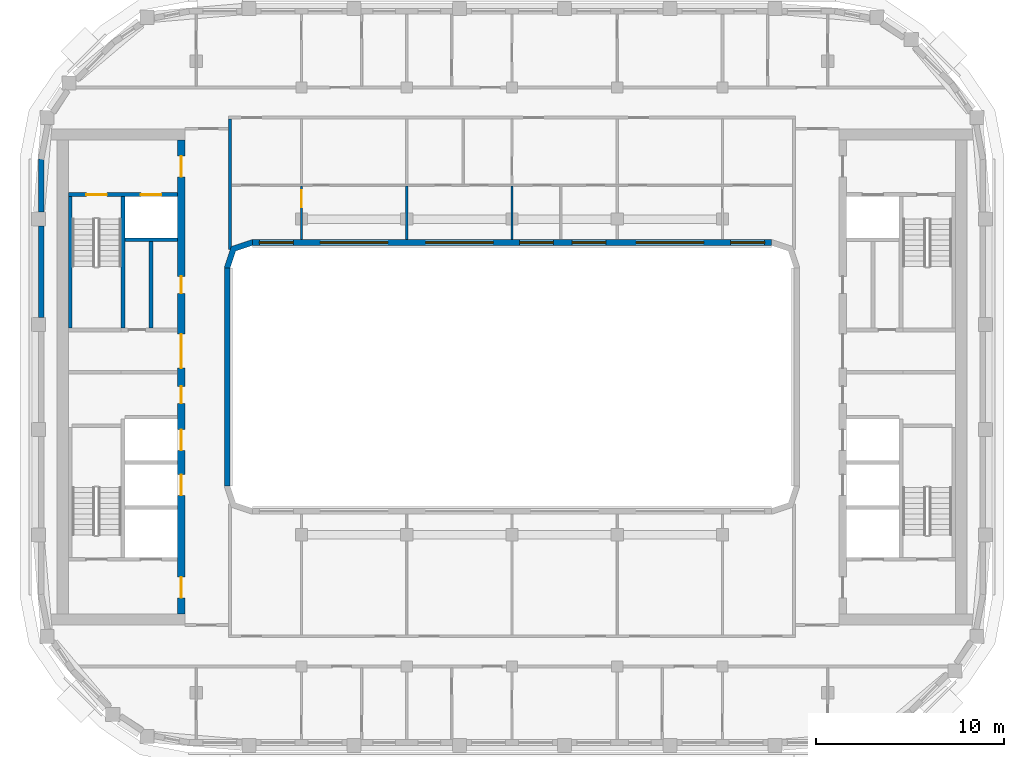
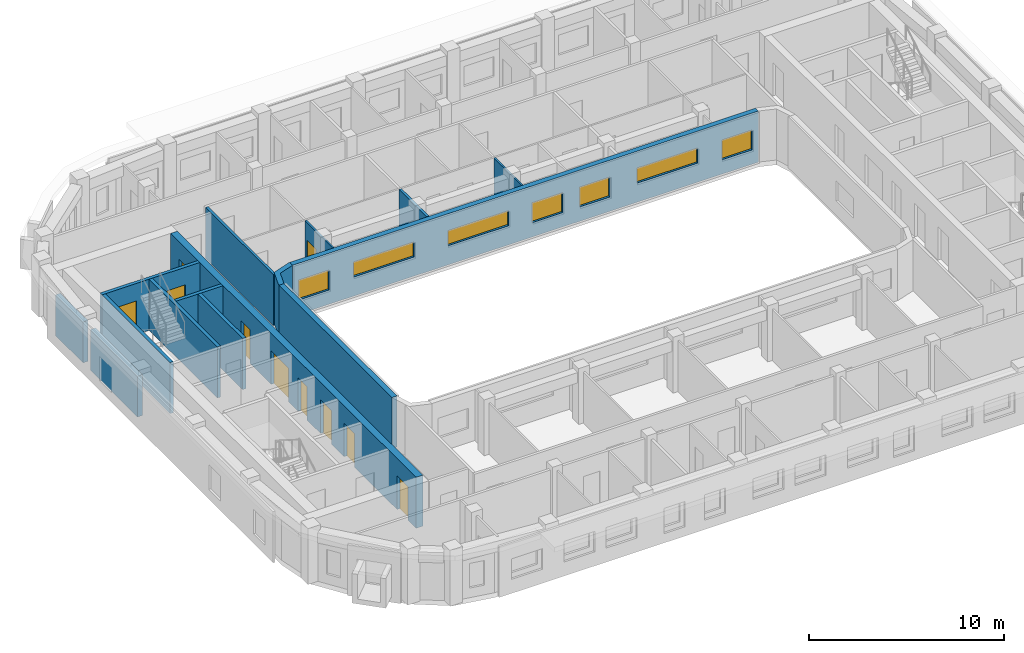
# One storey, part 4 of 16: 15 walls, 10 doors, 7 windows, 17 openings.
"""IFC4 building model written with IfcOpenShell, lengths in metres."""

from ifc_helpers import new_model, si_unit, direction, frame, frame_2d, origin, place, context, subcontext, project, spatial, polyline, rectangle, outline, extrude, material, layer, layer_set, type_object, element, fill, save


model = new_model("IFC4")

# Units and contexts
model_context = context("Model", 3, precision=1e-05, world=origin(), true_north=direction((0.0, 1.0)))
body_context = subcontext(model_context, "Body", "Model", "MODEL_VIEW")
ifc_project = project(units=[si_unit("LENGTHUNIT", "METRE"), si_unit("AREAUNIT", "SQUARE_METRE"), si_unit("VOLUMEUNIT", "CUBIC_METRE"), si_unit("PLANEANGLEUNIT", "RADIAN"), si_unit("MASSUNIT", "GRAM", prefix="KILO")], contexts=[model_context])

# Site, building, storey
site_placement = place(None, origin())
site = spatial("IfcSite", under=ifc_project, at=site_placement, CompositionType="ELEMENT")
building_placement = place(site_placement, origin())
building = spatial("IfcBuilding", under=site, at=building_placement, Name="Kiln Ring Residences", CompositionType="ELEMENT")
storey_placement = place(building_placement, frame((0.0, 0.0, 276.699951171875)))
storey = spatial("IfcBuildingStorey", under=building, at=storey_placement, Name="L72", CompositionType="ELEMENT", Elevation=276.699951171875)

# Walls
ifc_material_1 = material(Name="Gypsum board on steel studs", Category="steel")
ifc_layer_1 = layer(ifc_material_1, 0.199951171875)
ifc_layer_set_1 = layer_set([ifc_layer_1], Name="CORE-PARTITION-200")
wall_type_1 = type_object("IfcWallType", Name="CORE-PARTITION-200", PredefinedType="PARTITIONING", material=ifc_layer_set_1)
wall_1_placement = place(storey_placement, frame((-19.199951171875, 2.60009765625, 0.0), z_axis=(0.0, 0.0, 1.0), x_axis=(0.0, 1.0, 0.0)))
element("IfcWall", 1, at=wall_1_placement, inside=storey, type_object=wall_type_1, Name="Core partition west L72 2", PredefinedType="PARTITIONING", context=body_context, shape_type="SweptSolid", body=[
    extrude(rectangle(XDim=4.599853515625, YDim=0.199951171875, at=frame_2d((2.2998046875, 0.0))), origin(), (0.0, 0.0, 1.0), 3.199951171875),
])
ifc_material_2 = material(Name="Gypsum shaft wall system")
ifc_layer_2 = layer(ifc_material_2, 0.199951171875)
ifc_layer_set_2 = layer_set([ifc_layer_2], Name="CORE-SHAFT-WALL-200")
wall_type_2 = type_object("IfcWallType", Name="CORE-SHAFT-WALL-200", PredefinedType="PARTITIONING", material=ifc_layer_set_2)
wall_2_placement = place(storey_placement, frame((-17.800048828125, 7.300048828125, 0.0), z_axis=(0.0, 0.0, 1.0), x_axis=(-1.0, 0.0, 0.0)))
element("IfcWall", 2, at=wall_2_placement, inside=storey, type_object=wall_type_2, Name="Core partition west L72 8", PredefinedType="PARTITIONING", context=body_context, shape_type="SweptSolid", body=[
    extrude(rectangle(XDim=2.800048828125, YDim=0.199951171875, at=frame_2d((1.39990234375, 0.0))), origin(), (0.0, 0.0, 1.0), 3.199951171875),
])
ifc_material_3 = material(Name="Concrete C40/50", Category="concrete")
ifc_layer_3 = layer(ifc_material_3, 0.199951171875)
ifc_layer_set_3 = layer_set([ifc_layer_3], Name="CORE-WALL-RC200")
wall_type_3 = type_object("IfcWallType", Name="CORE-WALL-RC200", PredefinedType="SHEAR", material=ifc_layer_set_3)
wall_3_placement = place(storey_placement, frame((-20.699951171875, 2.60009765625, 0.0), z_axis=(0.0, 0.0, 1.0), x_axis=(0.0, 1.0, 0.0)))
element("IfcWall", 3, at=wall_3_placement, inside=storey, type_object=wall_type_3, Name="Core wall west L72 1", PredefinedType="SHEAR", context=body_context, shape_type="SweptSolid", body=[
    extrude(rectangle(XDim=7.0, YDim=0.199951171875, at=frame_2d((3.5, 0.0))), origin(), (0.0, 0.0, 1.0), 3.199951171875),
])

# Wall, openings, doors
wall_4_placement = place(storey_placement, frame((-17.800048828125, 9.699951171875, 0.0), z_axis=(0.0, 0.0, 1.0), x_axis=(-1.0, 0.0, 0.0)))
wall_4 = element("IfcWall", 4, at=wall_4_placement, inside=storey, type_object=wall_type_3, Name="Core wall west L72 9", PredefinedType="SHEAR", context=body_context, shape_type="SweptSolid", body=[
    extrude(rectangle(XDim=5.800048828125, YDim=0.199951171875, at=frame_2d((2.89990234375, 0.0))), origin(), (0.0, 0.0, 1.0), 3.199951171875),
])
opening_1_placement = place(wall_4_placement, frame((0.85009765625, 0.0, 0.0)))
opening_1 = element("IfcOpeningElement", 5, at=opening_1_placement, cuts=wall_4, Name="Opening L72-CW07", PredefinedType="OPENING", context=body_context, shape_type="SweptSolid", body=[
    extrude(rectangle(XDim=1.10009765625, YDim=2.10009765625, at=frame_2d((0.550048828125, 1.050048828125))), frame((0.0, 0.10986328125, 0.0), z_axis=(0.0, -1.0, 0.0), x_axis=(1.0, 0.0, 0.0)), (0.0, 0.0, 1.0), 0.219970703125),
])
opening_2_placement = place(wall_4_placement, frame((3.75, 0.0, 0.0)))
opening_2 = element("IfcOpeningElement", 6, at=opening_2_placement, cuts=wall_4, Name="Opening L72-CW10", PredefinedType="OPENING", context=body_context, shape_type="SweptSolid", body=[
    extrude(rectangle(XDim=1.10009765625, YDim=2.10009765625, at=frame_2d((0.550048828125, 1.050048828125))), frame((0.0, 0.10986328125, 0.0), z_axis=(0.0, -1.0, 0.0), x_axis=(1.0, 0.0, 0.0)), (0.0, 0.0, 1.0), 0.219970703125),
])
ifc_material_4 = material(Name="Steel door leaf", Category="steel")
door_type_1 = type_object("IfcDoorType", Name="CORE-DOOR-LD", OperationType="DOUBLE_DOOR_SLIDING", PredefinedType="DOOR", material=ifc_material_4)
door_1_placement = place(opening_1_placement, origin())
door_1 = element("IfcDoor", 7, at=door_1_placement, inside=storey, type_object=door_type_1, Name="LD W-FF L72-CW07", OperationType="DOUBLE_DOOR_SLIDING", OverallHeight=2.10009765625, OverallWidth=1.10009765625, PredefinedType="DOOR", context=body_context, shape_type="SweptSolid", body=[
    extrude(rectangle(XDim=1.10009765625, YDim=2.10009765625, at=frame_2d((0.550048828125, 1.050048828125))), frame((0.0, 0.02490234375, 0.0), z_axis=(0.0, -1.0, 0.0), x_axis=(1.0, 0.0, 0.0)), (0.0, 0.0, 1.0), 0.050048828125),
])
fill(opening_1, door_1)
ifc_material_5 = material(Name="Steel door leaf", Category="steel")
door_type_2 = type_object("IfcDoorType", Name="CORE-DOOR-STAIR", OperationType="SINGLE_SWING_LEFT", PredefinedType="DOOR", material=ifc_material_5)
door_2_placement = place(opening_2_placement, origin())
door_2 = element("IfcDoor", 8, at=door_2_placement, inside=storey, type_object=door_type_2, Name="Stair W-STN L72-CW10", OperationType="SINGLE_SWING_RIGHT", OverallHeight=2.10009765625, OverallWidth=1.10009765625, PredefinedType="DOOR", context=body_context, shape_type="SweptSolid", body=[
    extrude(rectangle(XDim=1.10009765625, YDim=2.10009765625, at=frame_2d((0.550048828125, 1.050048828125))), frame((0.0, 0.02490234375, 0.0), z_axis=(0.0, -1.0, 0.0), x_axis=(1.0, 0.0, 0.0)), (0.0, 0.0, 1.0), 0.050048828125),
])
fill(opening_2, door_2)

# Wall
wall_5_placement = place(storey_placement, frame((-23.5, 2.60009765625, 0.0), z_axis=(0.0, 0.0, 1.0), x_axis=(0.0, 1.0, 0.0)))
element("IfcWall", 9, at=wall_5_placement, inside=storey, type_object=wall_type_3, Name="Core wall west L72 10", PredefinedType="SHEAR", context=body_context, shape_type="SweptSolid", body=[
    extrude(rectangle(XDim=7.0, YDim=0.199951171875, at=frame_2d((3.5, 0.0))), origin(), (0.0, 0.0, 1.0), 3.199951171875),
])

# Wall, openings, doors
ifc_material_6 = material(Name="Concrete C60/75", Category="concrete")
ifc_layer_4 = layer(ifc_material_6, 0.39990234375)
ifc_layer_set_4 = layer_set([ifc_layer_4], Name="CORE-WALL-RC400")
wall_type_4 = type_object("IfcWallType", Name="CORE-WALL-RC400", PredefinedType="SHEAR", material=ifc_layer_set_4)
wall_6_placement = place(storey_placement, frame((-17.60009765625, -12.60009765625, 0.0), z_axis=(0.0, 0.0, 1.0), x_axis=(0.0, 1.0, 0.0)))
wall_6 = element("IfcWall", 10, at=wall_6_placement, inside=storey, type_object=wall_type_4, Name="Core wall west L72 6", PredefinedType="SHEAR", context=body_context, shape_type="SweptSolid", body=[
    extrude(rectangle(XDim=25.2001953125, YDim=0.39990234375, at=frame_2d((12.60009765625, 0.0))), origin(), (0.0, 0.0, 1.0), 3.199951171875),
])
opening_3_placement = place(wall_6_placement, frame((6.300048828125, 0.0, 0.0)))
opening_3 = element("IfcOpeningElement", 11, at=opening_3_placement, cuts=wall_6, Name="Opening L72-CW02", PredefinedType="OPENING", context=body_context, shape_type="SweptSolid", body=[
    extrude(rectangle(XDim=1.10009765625, YDim=2.10009765625, at=frame_2d((0.550048828125, 1.050048828125))), frame((0.0, 0.2099609375, 0.0), z_axis=(0.0, -1.0, 0.0), x_axis=(1.0, 0.0, 0.0)), (0.0, 0.0, 1.0), 0.419921875),
])
opening_4_placement = place(wall_6_placement, frame((8.699951171875, 0.0, 0.0)))
opening_4 = element("IfcOpeningElement", 12, at=opening_4_placement, cuts=wall_6, Name="Opening L72-CW03", PredefinedType="OPENING", context=body_context, shape_type="SweptSolid", body=[
    extrude(rectangle(XDim=1.10009765625, YDim=2.10009765625, at=frame_2d((0.550048828125, 1.050048828125))), frame((0.0, 0.2099609375, 0.0), z_axis=(0.0, -1.0, 0.0), x_axis=(1.0, 0.0, 0.0)), (0.0, 0.0, 1.0), 0.419921875),
])
opening_5_placement = place(wall_6_placement, frame((11.199951171875, 0.0, 0.0)))
opening_5 = element("IfcOpeningElement", 13, at=opening_5_placement, cuts=wall_6, Name="Opening L72-CW04", PredefinedType="OPENING", context=body_context, shape_type="SweptSolid", body=[
    extrude(rectangle(XDim=0.89990234375, YDim=2.10009765625, at=frame_2d((0.449951171875, 1.050048828125))), frame((0.0, 0.2099609375, 0.0), z_axis=(0.0, -1.0, 0.0), x_axis=(1.0, 0.0, 0.0)), (0.0, 0.0, 1.0), 0.419921875),
])
opening_6_placement = place(wall_6_placement, frame((17.050048828125, 0.0, 0.0)))
opening_6 = element("IfcOpeningElement", 14, at=opening_6_placement, cuts=wall_6, Name="Opening L72-CW05", PredefinedType="OPENING", context=body_context, shape_type="SweptSolid", body=[
    extrude(rectangle(XDim=0.89990234375, YDim=2.10009765625, at=frame_2d((0.449951171875, 1.050048828125))), frame((0.0, 0.2099609375, 0.0), z_axis=(0.0, -1.0, 0.0), x_axis=(1.0, 0.0, 0.0)), (0.0, 0.0, 1.0), 0.419921875),
])
opening_7_placement = place(wall_6_placement, frame((23.25, 0.0, 0.0)))
opening_7 = element("IfcOpeningElement", 15, at=opening_7_placement, cuts=wall_6, Name="Opening L72-CW08", PredefinedType="OPENING", context=body_context, shape_type="SweptSolid", body=[
    extrude(rectangle(XDim=1.10009765625, YDim=2.10009765625, at=frame_2d((0.550048828125, 1.050048828125))), frame((0.0, 0.2099609375, 0.0), z_axis=(0.0, -1.0, 0.0), x_axis=(1.0, 0.0, 0.0)), (0.0, 0.0, 1.0), 0.419921875),
])
opening_8_placement = place(wall_6_placement, frame((0.85009765625, 0.0, 0.0)))
opening_8 = element("IfcOpeningElement", 16, at=opening_8_placement, cuts=wall_6, Name="Opening L72-CW09", PredefinedType="OPENING", context=body_context, shape_type="SweptSolid", body=[
    extrude(rectangle(XDim=1.10009765625, YDim=2.10009765625, at=frame_2d((0.550048828125, 1.050048828125))), frame((0.0, 0.2099609375, 0.0), z_axis=(0.0, -1.0, 0.0), x_axis=(1.0, 0.0, 0.0)), (0.0, 0.0, 1.0), 0.419921875),
])
opening_9_placement = place(wall_6_placement, frame((13.074951171875, 0.0, 0.0)))
opening_9 = element("IfcOpeningElement", 17, at=opening_9_placement, cuts=wall_6, Name="Opening L72-CW12", PredefinedType="OPENING", context=body_context, shape_type="SweptSolid", body=[
    extrude(rectangle(XDim=1.800048828125, YDim=2.10009765625, at=frame_2d((0.89990234375, 1.050048828125))), frame((0.0, 0.2099609375, 0.0), z_axis=(0.0, -1.0, 0.0), x_axis=(1.0, 0.0, 0.0)), (0.0, 0.0, 1.0), 0.419921875),
])
door_3_placement = place(opening_3_placement, origin())
door_3 = element("IfcDoor", 18, at=door_3_placement, inside=storey, type_object=door_type_1, Name="LD W-H1 L72-CW02", OperationType="DOUBLE_DOOR_SLIDING", OverallHeight=2.10009765625, OverallWidth=1.10009765625, PredefinedType="DOOR", context=body_context, shape_type="SweptSolid", body=[
    extrude(rectangle(XDim=1.10009765625, YDim=2.10009765625, at=frame_2d((0.550048828125, 1.050048828125))), frame((0.0, 0.02490234375, 0.0), z_axis=(0.0, -1.0, 0.0), x_axis=(1.0, 0.0, 0.0)), (0.0, 0.0, 1.0), 0.050048828125),
])
fill(opening_3, door_3)
door_4_placement = place(opening_4_placement, origin())
door_4 = element("IfcDoor", 19, at=door_4_placement, inside=storey, type_object=door_type_1, Name="LD W-H2 L72-CW03", OperationType="DOUBLE_DOOR_SLIDING", OverallHeight=2.10009765625, OverallWidth=1.10009765625, PredefinedType="DOOR", context=body_context, shape_type="SweptSolid", body=[
    extrude(rectangle(XDim=1.10009765625, YDim=2.10009765625, at=frame_2d((0.550048828125, 1.050048828125))), frame((0.0, 0.02490234375, 0.0), z_axis=(0.0, -1.0, 0.0), x_axis=(1.0, 0.0, 0.0)), (0.0, 0.0, 1.0), 0.050048828125),
])
fill(opening_4, door_4)
ifc_material_7 = material(Name="Steel door leaf", Category="steel")
door_type_3 = type_object("IfcDoorType", Name="CORE-DOOR-LOBBY", OperationType="SINGLE_SWING_LEFT", PredefinedType="DOOR", material=ifc_material_7)
door_5_placement = place(opening_7_placement, origin())
door_5 = element("IfcDoor", 20, at=door_5_placement, inside=storey, type_object=door_type_3, Name="FFL L72-CW08", OperationType="SINGLE_SWING_LEFT", OverallHeight=2.10009765625, OverallWidth=1.10009765625, PredefinedType="DOOR", context=body_context, shape_type="SweptSolid", body=[
    extrude(rectangle(XDim=1.10009765625, YDim=2.10009765625, at=frame_2d((0.550048828125, 1.050048828125))), frame((0.0, 0.02490234375, 0.0), z_axis=(0.0, -1.0, 0.0), x_axis=(1.0, 0.0, 0.0)), (0.0, 0.0, 1.0), 0.050048828125),
])
fill(opening_7, door_5)
door_6_placement = place(opening_8_placement, origin())
door_6 = element("IfcDoor", 21, at=door_6_placement, inside=storey, type_object=door_type_3, Name="SVL L72-CW09", OperationType="SINGLE_SWING_RIGHT", OverallHeight=2.10009765625, OverallWidth=1.10009765625, PredefinedType="DOOR", context=body_context, shape_type="SweptSolid", body=[
    extrude(rectangle(XDim=1.10009765625, YDim=2.10009765625, at=frame_2d((0.550048828125, 1.050048828125))), frame((0.0, 0.02490234375, 0.0), z_axis=(0.0, -1.0, 0.0), x_axis=(1.0, 0.0, 0.0)), (0.0, 0.0, 1.0), 0.050048828125),
])
fill(opening_8, door_6)
ifc_material_8 = material(Name="Steel door leaf", Category="steel")
door_type_4 = type_object("IfcDoorType", Name="CORE-DOOR-PASS", OperationType="DOUBLE_DOOR_SINGLE_SWING", PredefinedType="DOOR", material=ifc_material_8)
door_7_placement = place(opening_9_placement, origin())
door_7 = element("IfcDoor", 22, at=door_7_placement, inside=storey, type_object=door_type_4, Name="Core passage L72-CW12", OperationType="DOUBLE_DOOR_SINGLE_SWING", OverallHeight=2.10009765625, OverallWidth=1.800048828125, PredefinedType="DOOR", context=body_context, shape_type="SweptSolid", body=[
    extrude(rectangle(XDim=1.800048828125, YDim=2.10009765625, at=frame_2d((0.89990234375, 1.050048828125))), frame((0.0, 0.02490234375, 0.0), z_axis=(0.0, -1.0, 0.0), x_axis=(1.0, 0.0, 0.0)), (0.0, 0.0, 1.0), 0.050048828125),
])
fill(opening_9, door_7)
ifc_material_9 = material(Name="Steel door leaf", Category="steel")
door_type_5 = type_object("IfcDoorType", Name="CORE-DOOR-ROOM", OperationType="SINGLE_SWING_LEFT", PredefinedType="DOOR", material=ifc_material_9)
door_8_placement = place(opening_5_placement, origin())
door_8 = element("IfcDoor", 23, at=door_8_placement, inside=storey, type_object=door_type_5, Name="Linen store L72-CW04", OperationType="SINGLE_SWING_RIGHT", OverallHeight=2.10009765625, OverallWidth=0.89990234375, PredefinedType="DOOR", context=body_context, shape_type="SweptSolid", body=[
    extrude(rectangle(XDim=0.89990234375, YDim=2.10009765625, at=frame_2d((0.449951171875, 1.050048828125))), frame((0.0, 0.02490234375, 0.0), z_axis=(0.0, -1.0, 0.0), x_axis=(1.0, 0.0, 0.0)), (0.0, 0.0, 1.0), 0.050048828125),
])
fill(opening_5, door_8)
door_9_placement = place(opening_6_placement, origin())
door_9 = element("IfcDoor", 24, at=door_9_placement, inside=storey, type_object=door_type_5, Name="Janitor's store L72-CW05", OperationType="SINGLE_SWING_LEFT", OverallHeight=2.10009765625, OverallWidth=0.89990234375, PredefinedType="DOOR", context=body_context, shape_type="SweptSolid", body=[
    extrude(rectangle(XDim=0.89990234375, YDim=2.10009765625, at=frame_2d((0.449951171875, 1.050048828125))), frame((0.0, 0.02490234375, 0.0), z_axis=(0.0, -1.0, 0.0), x_axis=(1.0, 0.0, 0.0)), (0.0, 0.0, 1.0), 0.050048828125),
])
fill(opening_6, door_9)

# Walls
ifc_material_10 = material(Name="Brick masonry, dark clay brick", Category="masonry")
ifc_layer_5 = layer(ifc_material_10, 0.300048828125)
ifc_layer_set_5 = layer_set([ifc_layer_5], Name="EW-300 BRICK WALL")
wall_type_5 = type_object("IfcWallType", Name="EW-300 BRICK WALL", PredefinedType="SOLIDWALL", material=ifc_layer_set_5)
wall_7_placement = place(storey_placement, frame((-25.050048828125, 11.60009765625, 0.0), z_axis=(0.0, 0.0, 1.0), x_axis=(0.0, -1.0, 0.0)))
element("IfcWall", 25, at=wall_7_placement, inside=storey, type_object=wall_type_5, Name="Facade wall L72 38", PredefinedType="SOLIDWALL", context=body_context, shape_type="SweptSolid", body=[
    extrude(rectangle(XDim=2.8251953125, YDim=0.300048828125, at=frame_2d((1.41259765625, 0.0))), origin(), (0.0, 0.0, 1.0), 2.550048828125),
])
wall_8_placement = place(storey_placement, frame((-25.050048828125, 8.02490234375, 0.0), z_axis=(0.0, 0.0, 1.0), x_axis=(0.0, -1.0, 0.0)))
element("IfcWall", 26, at=wall_8_placement, inside=storey, type_object=wall_type_5, Name="Facade wall L72 39", PredefinedType="SOLIDWALL", context=body_context, shape_type="SweptSolid", body=[
    extrude(rectangle(XDim=4.849853515625, YDim=0.300048828125, at=frame_2d((2.4248046875, 0.0))), origin(), (0.0, 0.0, 1.0), 2.550048828125),
])
wall_9_placement = place(storey_placement, frame((-15.14990234375, -5.800048828125, 0.0), z_axis=(0.0, 0.0, 1.0), x_axis=(0.0, 1.0, 0.0)))
element("IfcWall", 27, at=wall_9_placement, inside=storey, type_object=wall_type_5, Name="Facade wall L72 45", PredefinedType="SOLIDWALL", context=body_context, shape_type="SweptSolid", body=[
    extrude(rectangle(XDim=11.60009765625, YDim=0.300048828125, at=frame_2d((5.800048828125, 0.0))), origin(), (0.0, 0.0, 1.0), 3.199951171875),
])

# Wall, openings, windows
wall_10_placement = place(storey_placement, frame((-13.800048828125, 7.14990234375, 0.0), z_axis=(0.0, 0.0, 1.0), x_axis=(1.0, 0.0, 0.0)))
wall_10 = element("IfcWall", 28, at=wall_10_placement, inside=storey, type_object=wall_type_5, Name="Facade wall L72 46", PredefinedType="SOLIDWALL", context=body_context, shape_type="SweptSolid", body=[
    extrude(rectangle(XDim=27.60009765625, YDim=0.300048828125, at=frame_2d((13.800048828125, 0.0))), origin(), (0.0, 0.0, 1.0), 3.199951171875),
])
opening_10_placement = place(wall_10_placement, frame((0.362548828125, 0.0, 0.89990234375)))
opening_10 = element("IfcOpeningElement", 29, at=opening_10_placement, cuts=wall_10, Name="Opening W2", PredefinedType="OPENING", context=body_context, shape_type="SweptSolid", body=[
    extrude(rectangle(XDim=1.800048828125, YDim=1.25, at=frame_2d((0.89990234375, 0.625))), frame((0.0, 0.159912109375, 0.0), z_axis=(0.0, -1.0, 0.0), x_axis=(1.0, 0.0, 0.0)), (0.0, 0.0, 1.0), 0.320068359375),
])
opening_11_placement = place(wall_10_placement, frame((3.60009765625, 0.0, 1.199951171875)))
opening_11 = element("IfcOpeningElement", 30, at=opening_11_placement, cuts=wall_10, Name="Opening W4", PredefinedType="OPENING", context=body_context, shape_type="SweptSolid", body=[
    extrude(rectangle(XDim=3.60009765625, YDim=0.949951171875, at=frame_2d((1.800048828125, 0.47509765625))), frame((0.0, 0.159912109375, 0.0), z_axis=(0.0, -1.0, 0.0), x_axis=(1.0, 0.0, 0.0)), (0.0, 0.0, 1.0), 0.320068359375),
])
opening_12_placement = place(wall_10_placement, frame((9.199951171875, 0.0, 1.199951171875)))
opening_12 = element("IfcOpeningElement", 31, at=opening_12_placement, cuts=wall_10, Name="Opening W4", PredefinedType="OPENING", context=body_context, shape_type="SweptSolid", body=[
    extrude(rectangle(XDim=3.60009765625, YDim=0.949951171875, at=frame_2d((1.800048828125, 0.47509765625))), frame((0.0, 0.159912109375, 0.0), z_axis=(0.0, -1.0, 0.0), x_axis=(1.0, 0.0, 0.0)), (0.0, 0.0, 1.0), 0.320068359375),
])
opening_13_placement = place(wall_10_placement, frame((14.199951171875, 0.0, 0.89990234375)))
opening_13 = element("IfcOpeningElement", 32, at=opening_13_placement, cuts=wall_10, Name="Opening W2", PredefinedType="OPENING", context=body_context, shape_type="SweptSolid", body=[
    extrude(rectangle(XDim=1.800048828125, YDim=1.25, at=frame_2d((0.89990234375, 0.625))), frame((0.0, 0.159912109375, 0.0), z_axis=(0.0, -1.0, 0.0), x_axis=(1.0, 0.0, 0.0)), (0.0, 0.0, 1.0), 0.320068359375),
])
opening_14_placement = place(wall_10_placement, frame((17.0, 0.0, 0.89990234375)))
opening_14 = element("IfcOpeningElement", 33, at=opening_14_placement, cuts=wall_10, Name="Opening W2", PredefinedType="OPENING", context=body_context, shape_type="SweptSolid", body=[
    extrude(rectangle(XDim=1.800048828125, YDim=1.25, at=frame_2d((0.89990234375, 0.625))), frame((0.0, 0.159912109375, 0.0), z_axis=(0.0, -1.0, 0.0), x_axis=(1.0, 0.0, 0.0)), (0.0, 0.0, 1.0), 0.320068359375),
])
opening_15_placement = place(wall_10_placement, frame((20.39990234375, 0.0, 1.199951171875)))
opening_15 = element("IfcOpeningElement", 34, at=opening_15_placement, cuts=wall_10, Name="Opening W4", PredefinedType="OPENING", context=body_context, shape_type="SweptSolid", body=[
    extrude(rectangle(XDim=3.60009765625, YDim=0.949951171875, at=frame_2d((1.800048828125, 0.47509765625))), frame((0.0, 0.159912109375, 0.0), z_axis=(0.0, -1.0, 0.0), x_axis=(1.0, 0.0, 0.0)), (0.0, 0.0, 1.0), 0.320068359375),
])
opening_16_placement = place(wall_10_placement, frame((25.4375, 0.0, 0.89990234375)))
opening_16 = element("IfcOpeningElement", 35, at=opening_16_placement, cuts=wall_10, Name="Opening W2", PredefinedType="OPENING", context=body_context, shape_type="SweptSolid", body=[
    extrude(rectangle(XDim=1.800048828125, YDim=1.25, at=frame_2d((0.89990234375, 0.625))), frame((0.0, 0.159912109375, 0.0), z_axis=(0.0, -1.0, 0.0), x_axis=(1.0, 0.0, 0.0)), (0.0, 0.0, 1.0), 0.320068359375),
])
ifc_material_11 = material(Name="Aluminium frame with double glazing", Category="aluminium")
window_type_1 = type_object("IfcWindowType", Name="WINDOW 1800 x 1250", PartitioningType="SINGLE_PANEL", PredefinedType="WINDOW", material=ifc_material_11)
window_1_placement = place(opening_10_placement, origin())
window_1 = element("IfcWindow", 36, at=window_1_placement, inside=storey, type_object=window_type_1, Name="Window L72 37", OverallHeight=1.25, OverallWidth=1.800048828125, PartitioningType="SINGLE_PANEL", PredefinedType="WINDOW", context=body_context, shape_type="SweptSolid", body=[
    extrude(rectangle(XDim=1.800048828125, YDim=1.25, at=frame_2d((0.89990234375, 0.625))), frame((0.0, 0.030029296875, 0.0), z_axis=(0.0, -1.0, 0.0), x_axis=(1.0, 0.0, 0.0)), (0.0, 0.0, 1.0), 0.06005859375),
])
fill(opening_10, window_1)
window_2_placement = place(opening_13_placement, origin())
window_2 = element("IfcWindow", 37, at=window_2_placement, inside=storey, type_object=window_type_1, Name="Window L72 40", OverallHeight=1.25, OverallWidth=1.800048828125, PartitioningType="SINGLE_PANEL", PredefinedType="WINDOW", context=body_context, shape_type="SweptSolid", body=[
    extrude(rectangle(XDim=1.800048828125, YDim=1.25, at=frame_2d((0.89990234375, 0.625))), frame((0.0, 0.030029296875, 0.0), z_axis=(0.0, -1.0, 0.0), x_axis=(1.0, 0.0, 0.0)), (0.0, 0.0, 1.0), 0.06005859375),
])
fill(opening_13, window_2)
window_3_placement = place(opening_14_placement, origin())
window_3 = element("IfcWindow", 38, at=window_3_placement, inside=storey, type_object=window_type_1, Name="Window L72 41", OverallHeight=1.25, OverallWidth=1.800048828125, PartitioningType="SINGLE_PANEL", PredefinedType="WINDOW", context=body_context, shape_type="SweptSolid", body=[
    extrude(rectangle(XDim=1.800048828125, YDim=1.25, at=frame_2d((0.89990234375, 0.625))), frame((0.0, 0.030029296875, 0.0), z_axis=(0.0, -1.0, 0.0), x_axis=(1.0, 0.0, 0.0)), (0.0, 0.0, 1.0), 0.06005859375),
])
fill(opening_14, window_3)
window_4_placement = place(opening_16_placement, origin())
window_4 = element("IfcWindow", 39, at=window_4_placement, inside=storey, type_object=window_type_1, Name="Window L72 43", OverallHeight=1.25, OverallWidth=1.800048828125, PartitioningType="SINGLE_PANEL", PredefinedType="WINDOW", context=body_context, shape_type="SweptSolid", body=[
    extrude(rectangle(XDim=1.800048828125, YDim=1.25, at=frame_2d((0.89990234375, 0.625))), frame((0.0, 0.030029296875, 0.0), z_axis=(0.0, -1.0, 0.0), x_axis=(1.0, 0.0, 0.0)), (0.0, 0.0, 1.0), 0.06005859375),
])
fill(opening_16, window_4)
ifc_material_12 = material(Name="Aluminium frame with double glazing", Category="aluminium")
window_type_2 = type_object("IfcWindowType", Name="WINDOW 3600 x 950", PartitioningType="SINGLE_PANEL", PredefinedType="WINDOW", material=ifc_material_12)
window_5_placement = place(opening_11_placement, origin())
window_5 = element("IfcWindow", 40, at=window_5_placement, inside=storey, type_object=window_type_2, Name="Window L72 38", OverallHeight=0.949951171875, OverallWidth=3.60009765625, PartitioningType="SINGLE_PANEL", PredefinedType="WINDOW", context=body_context, shape_type="SweptSolid", body=[
    extrude(rectangle(XDim=3.60009765625, YDim=0.949951171875, at=frame_2d((1.800048828125, 0.47509765625))), frame((0.0, 0.030029296875, 0.0), z_axis=(0.0, -1.0, 0.0), x_axis=(1.0, 0.0, 0.0)), (0.0, 0.0, 1.0), 0.06005859375),
])
fill(opening_11, window_5)
window_6_placement = place(opening_12_placement, origin())
window_6 = element("IfcWindow", 41, at=window_6_placement, inside=storey, type_object=window_type_2, Name="Window L72 39", OverallHeight=0.949951171875, OverallWidth=3.60009765625, PartitioningType="SINGLE_PANEL", PredefinedType="WINDOW", context=body_context, shape_type="SweptSolid", body=[
    extrude(rectangle(XDim=3.60009765625, YDim=0.949951171875, at=frame_2d((1.800048828125, 0.47509765625))), frame((0.0, 0.030029296875, 0.0), z_axis=(0.0, -1.0, 0.0), x_axis=(1.0, 0.0, 0.0)), (0.0, 0.0, 1.0), 0.06005859375),
])
fill(opening_12, window_6)
window_7_placement = place(opening_15_placement, origin())
window_7 = element("IfcWindow", 42, at=window_7_placement, inside=storey, type_object=window_type_2, Name="Window L72 42", OverallHeight=0.949951171875, OverallWidth=3.60009765625, PartitioningType="SINGLE_PANEL", PredefinedType="WINDOW", context=body_context, shape_type="SweptSolid", body=[
    extrude(rectangle(XDim=3.60009765625, YDim=0.949951171875, at=frame_2d((1.800048828125, 0.47509765625))), frame((0.0, 0.030029296875, 0.0), z_axis=(0.0, -1.0, 0.0), x_axis=(1.0, 0.0, 0.0)), (0.0, 0.0, 1.0), 0.06005859375),
])
fill(opening_15, window_7)

# Wall
wall_11_placement = place(storey_placement, origin())
element("IfcWall", 43, at=wall_11_placement, inside=storey, type_object=wall_type_5, Name="Corner wall L72 1", PredefinedType="SOLIDWALL", context=body_context, shape_type="SweptSolid", body=[
    extrude(outline(polyline([(-13.8486328125, 7.300048828125), (-14.937255859375, 6.937255859375), (-15.300048828125, 5.8486328125), (-15.300048828125, 5.800048828125), (-15.0, 5.800048828125), (-14.699951171875, 6.699951171875), (-13.800048828125, 7.0), (-13.800048828125, 7.300048828125), (-13.8486328125, 7.300048828125)])), origin(), (0.0, 0.0, 1.0), 3.199951171875),
])

# Wall, opening, door
ifc_material_13 = material(Name="Gypsum board on steel studs", Category="steel")
ifc_layer_6 = layer(ifc_material_13, 0.10009765625)
ifc_layer_set_6 = layer_set([ifc_layer_6], Name="PARTITION-100")
wall_type_6 = type_object("IfcWallType", Name="PARTITION-100", PredefinedType="PARTITIONING", material=ifc_layer_set_6)
wall_12_placement = place(storey_placement, frame((-11.199951171875, 7.320068359375, 0.0), z_axis=(0.0, 0.0, 1.0), x_axis=(0.0, 1.0, 0.0)))
wall_12 = element("IfcWall", 44, at=wall_12_placement, inside=storey, type_object=wall_type_6, Name="Partition 015", PredefinedType="PARTITIONING", context=body_context, shape_type="SweptSolid", body=[
    extrude(rectangle(XDim=2.829833984375, YDim=0.10009765625, at=frame_2d((1.4150390625, 0.0))), origin(), (0.0, 0.0, 1.0), 3.199951171875),
])
opening_17_placement = place(wall_12_placement, frame((1.699951171875, 0.0, 0.0)))
opening_17 = element("IfcOpeningElement", 45, at=opening_17_placement, cuts=wall_12, Name="Opening L72-D008", PredefinedType="OPENING", context=body_context, shape_type="SweptSolid", body=[
    extrude(rectangle(XDim=0.89990234375, YDim=2.10009765625, at=frame_2d((0.449951171875, 1.050048828125))), frame((0.0, 0.06005859375, 0.0), z_axis=(0.0, -1.0, 0.0), x_axis=(1.0, 0.0, 0.0)), (0.0, 0.0, 1.0), 0.1201171875),
])
ifc_material_14 = material(Name="Timber door leaf", Category="wood")
door_type_6 = type_object("IfcDoorType", Name="FLAT-DOOR-900-PL", OperationType="SINGLE_SWING_LEFT", PredefinedType="DOOR", material=ifc_material_14)
door_10_placement = place(opening_17_placement, origin())
door_10 = element("IfcDoor", 46, at=door_10_placement, inside=storey, type_object=door_type_6, Name="Door L72-D008", OperationType="SINGLE_SWING_RIGHT", OverallHeight=2.10009765625, OverallWidth=0.89990234375, PredefinedType="DOOR", context=body_context, shape_type="SweptSolid", body=[
    extrude(rectangle(XDim=0.89990234375, YDim=2.10009765625, at=frame_2d((0.449951171875, 1.050048828125))), frame((0.0, 0.02490234375, 0.0), z_axis=(0.0, -1.0, 0.0), x_axis=(1.0, 0.0, 0.0)), (0.0, 0.0, 1.0), 0.050048828125),
])
fill(opening_17, door_10)

# Walls
wall_13_placement = place(storey_placement, frame((0.0, 7.320068359375, 0.0), z_axis=(0.0, 0.0, 1.0), x_axis=(0.0, 1.0, 0.0)))
element("IfcWall", 47, at=wall_13_placement, inside=storey, type_object=wall_type_6, Name="Partition 030", PredefinedType="PARTITIONING", context=body_context, shape_type="SweptSolid", body=[
    extrude(rectangle(XDim=2.829833984375, YDim=0.10009765625, at=frame_2d((1.4150390625, 0.0))), origin(), (0.0, 0.0, 1.0), 3.199951171875),
])
ifc_material_15 = material(Name="Brick masonry partition", Category="masonry")
ifc_layer_7 = layer(ifc_material_15, 0.14990234375)
ifc_layer_set_7 = layer_set([ifc_layer_7], Name="PARTITION-150-ei60")
wall_type_7 = type_object("IfcWallType", Name="PARTITION-150-ei60", PredefinedType="PARTITIONING", material=ifc_layer_set_7)
wall_14_placement = place(storey_placement, frame((-15.0, 6.768798828125, 0.0), z_axis=(0.0, 0.0, 1.0), x_axis=(0.0, 1.0, 0.0)))
element("IfcWall", 48, at=wall_14_placement, inside=storey, type_object=wall_type_7, Name="Partition 012", PredefinedType="PARTITIONING", context=body_context, shape_type="SweptSolid", body=[
    extrude(rectangle(XDim=6.956298828125, YDim=0.14990234375, at=frame_2d((3.47802734375, 0.0))), origin(), (0.0, 0.0, 1.0), 3.199951171875),
])
wall_15_placement = place(storey_placement, frame((-5.60009765625, 7.320068359375, 0.0), z_axis=(0.0, 0.0, 1.0), x_axis=(0.0, 1.0, 0.0)))
element("IfcWall", 49, at=wall_15_placement, inside=storey, type_object=wall_type_7, Name="Partition 022", PredefinedType="PARTITIONING", context=body_context, shape_type="SweptSolid", body=[
    extrude(rectangle(XDim=2.829833984375, YDim=0.14990234375, at=frame_2d((1.4150390625, 0.0))), origin(), (0.0, 0.0, 1.0), 3.199951171875),
])

save(model, "model.ifc")
